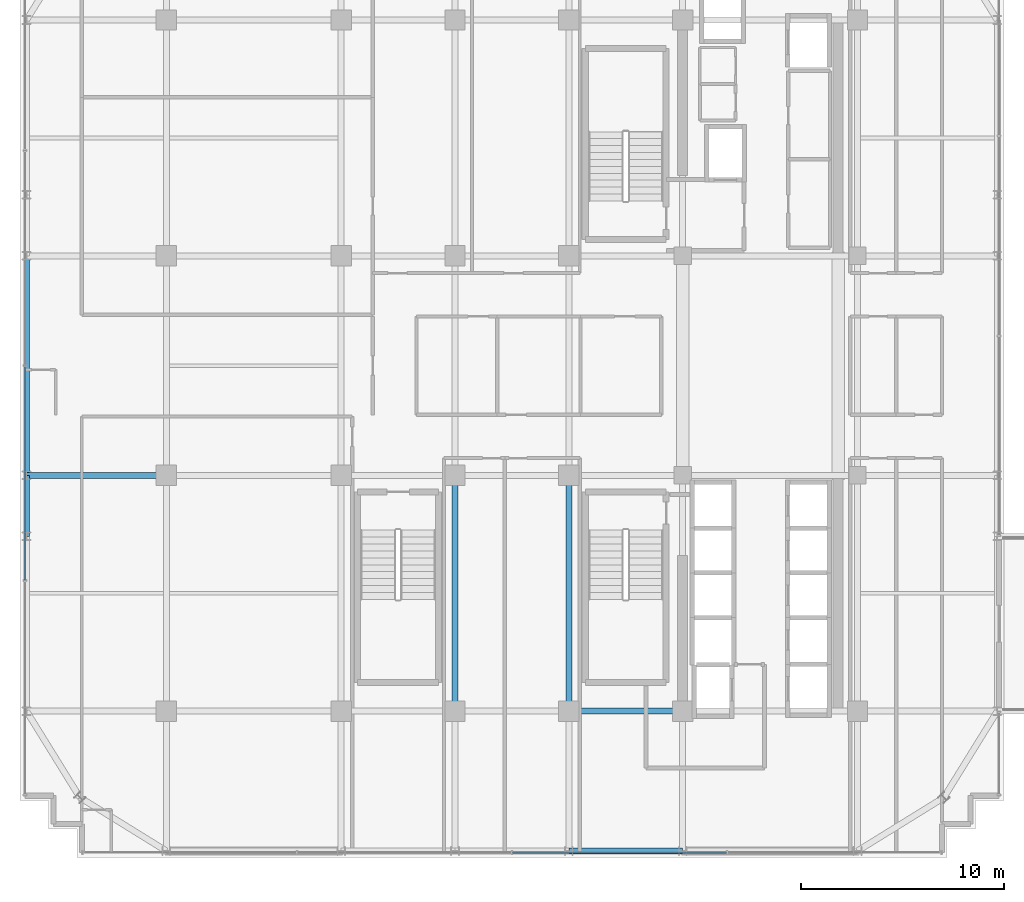
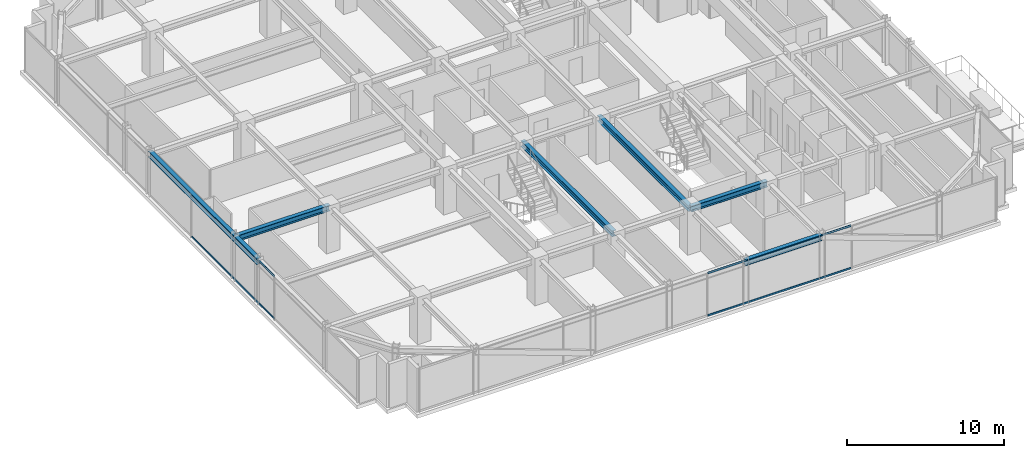
# One storey, part 9 of 36: 7 beams, 4 members, 2 elements without a shape of their own.
"""IFC4 building model written with IfcOpenShell, lengths in metres."""

from ifc_helpers import new_model, si_unit, direction, frame, origin, origin_2d, place, context, subcontext, project, spatial, hollow_rectangle, i_section, extrude, source, transform, mapped, material, material_profile, profile_set, type_object, element, aggregate, save


model = new_model("IFC4")

# Units and contexts
model_context = context("Model", 3, precision=1e-05, world=origin(), true_north=direction((0.0, 1.0)))
body_context = subcontext(model_context, "Body", "Model", "MODEL_VIEW")
ifc_project = project(units=[si_unit("LENGTHUNIT", "METRE"), si_unit("AREAUNIT", "SQUARE_METRE"), si_unit("VOLUMEUNIT", "CUBIC_METRE"), si_unit("PLANEANGLEUNIT", "RADIAN"), si_unit("MASSUNIT", "GRAM", prefix="KILO")], contexts=[model_context])

# Site, building, storey
site_placement = place(None, origin())
site = spatial("IfcSite", under=ifc_project, at=site_placement, CompositionType="ELEMENT")
building_placement = place(site_placement, origin())
building = spatial("IfcBuilding", under=site, at=building_placement, Name="Nahalor Promenade Grand Hotel", CompositionType="ELEMENT")
storey_placement = place(building_placement, frame((0.0, 0.0, 219.699951171875)))
storey = spatial("IfcBuildingStorey", under=building, at=storey_placement, Name="L56", CompositionType="ELEMENT", Elevation=219.699951171875)

# Beams
ifc_material_1 = material(Name="Steel S355JR", Category="steel")
ifc_material_profile_1 = material_profile(ifc_material_1, i_section(OverallWidth=0.3, OverallDepth=0.45, WebThickness=0.014, FlangeThickness=0.026, at=origin_2d()), Name="HEB 450")
ifc_profile_set_1 = profile_set([ifc_material_profile_1], Name="Steel S355JR")
beam_type_1 = type_object("IfcBeamType", Name="Beam-Spandrel-HEB450", PredefinedType="SPANDREL", material=ifc_profile_set_1)
shared_shape_1 = source(origin(), body_context, "Body", "SweptSolid", [
    extrude(i_section(OverallWidth=0.3, OverallDepth=0.45, WebThickness=0.014, FlangeThickness=0.026, at=origin_2d()), origin(), (0.0, 0.0, 1.0), 5.599853515625),
])
beam_1_placement = place(storey_placement, frame((2.800048828125, -23.8798828125, 3.18505859375), z_axis=(1.0, 0.0, 0.0), x_axis=(0.0, 1.0, 0.0)))
element("IfcBeam", 1, at=beam_1_placement, inside=storey, type_object=beam_type_1, Name="BM-L56-SP-S-3", PredefinedType="SPANDREL", context=body_context, shape_type="MappedRepresentation", body=[
    mapped(shared_shape_1, transform((0.0, 0.0, 0.0), scale=1.0)),
])
shared_shape_2 = source(origin(), body_context, "Body", "SweptSolid", [
    extrude(i_section(OverallWidth=0.3, OverallDepth=0.45, WebThickness=0.014, FlangeThickness=0.026, at=origin_2d()), origin(), (0.0, 0.0, 1.0), 3.0),
])
beam_2_placement = place(storey_placement, frame((-23.8798828125, -8.39990234375, 3.18505859375), z_axis=(0.0, 1.0, 0.0), x_axis=(-1.0, 0.0, 0.0)))
element("IfcBeam", 2, at=beam_2_placement, inside=storey, type_object=beam_type_1, Name="BM-L56-SP-W-1", PredefinedType="SPANDREL", context=body_context, shape_type="MappedRepresentation", body=[
    mapped(shared_shape_2, transform((0.0, 0.0, 0.0), scale=1.0)),
])
shared_shape_3 = source(origin(), body_context, "Body", "SweptSolid", [
    extrude(i_section(OverallWidth=0.3, OverallDepth=0.45, WebThickness=0.014, FlangeThickness=0.026, at=origin_2d()), origin(), (0.0, 0.0, 1.0), 10.7998046875),
])
beam_3_placement = place(storey_placement, frame((-23.8798828125, -5.39990234375, 3.18505859375), z_axis=(0.0, 1.0, 0.0), x_axis=(-1.0, 0.0, 0.0)))
element("IfcBeam", 3, at=beam_3_placement, inside=storey, type_object=beam_type_1, Name="BM-L56-SP-W-2", PredefinedType="SPANDREL", context=body_context, shape_type="MappedRepresentation", body=[
    mapped(shared_shape_3, transform((0.0, 0.0, 0.0), scale=1.0)),
])
ifc_material_profile_2 = material_profile(ifc_material_1, i_section(OverallWidth=0.3, OverallDepth=0.45, WebThickness=0.014, FlangeThickness=0.026, at=origin_2d()), Name="HEB 450")
ifc_profile_set_2 = profile_set([ifc_material_profile_2], Name="Steel S355JR")
beam_type_2 = type_object("IfcBeamType", Name="Beam-Girder-HEB450", PredefinedType="BEAM", material=ifc_profile_set_2)
shared_shape_4 = source(origin(), body_context, "Body", "SweptSolid", [
    extrude(i_section(OverallWidth=0.3, OverallDepth=0.45, WebThickness=0.014, FlangeThickness=0.026, at=origin_2d()), origin(), (0.0, 0.0, 1.0), 6.8798828125),
])
beam_4_placement = place(storey_placement, frame((-23.8798828125, -5.39990234375, 3.18505859375), z_axis=(1.0, 0.0, 0.0), x_axis=(0.0, 1.0, 0.0)))
element("IfcBeam", 4, at=beam_4_placement, inside=storey, type_object=beam_type_2, Name="BM-L56-GX-1-0", PredefinedType="BEAM", context=body_context, shape_type="MappedRepresentation", body=[
    mapped(shared_shape_4, transform((0.0, 0.0, 0.0), scale=1.0)),
])
shared_shape_5 = source(origin(), body_context, "Body", "SweptSolid", [
    extrude(i_section(OverallWidth=0.3, OverallDepth=0.45, WebThickness=0.014, FlangeThickness=0.026, at=origin_2d()), origin(), (0.0, 0.0, 1.0), 5.599853515625),
])
beam_5_placement = place(storey_placement, frame((2.800048828125, -17.0, 3.18505859375), z_axis=(1.0, 0.0, 0.0), x_axis=(0.0, 1.0, 0.0)))
element("IfcBeam", 5, at=beam_5_placement, inside=storey, type_object=beam_type_2, Name="BM-L56-GX-0-4", PredefinedType="BEAM", context=body_context, shape_type="MappedRepresentation", body=[
    mapped(shared_shape_5, transform((0.0, 0.0, 0.0), scale=1.0)),
])
shared_shape_6 = source(origin(), body_context, "Body", "SweptSolid", [
    extrude(i_section(OverallWidth=0.3, OverallDepth=0.45, WebThickness=0.014, FlangeThickness=0.026, at=origin_2d()), origin(), (0.0, 0.0, 1.0), 11.60009765625),
])
for number, where, z_axis, x_axis, name in (
    (6, (-2.800048828125, -17.0, 3.18505859375), (0.0, 1.0, 0.0), (-1.0, 0.0, 0.0), "BM-L56-GY-2-1"),
    (7, (2.800048828125, -17.0, 3.18505859375), (0.0, 1.0, 0.0), (-1.0, 0.0, 0.0), "BM-L56-GY-3-1"),
):
    element("IfcBeam", number, at=place(storey_placement, frame(where, z_axis=z_axis, x_axis=x_axis)), inside=storey, type_object=beam_type_2, Name=name, PredefinedType="BEAM", context=body_context, shape_type="MappedRepresentation", body=[
        mapped(shared_shape_6, transform((0.0, 0.0, 0.0), scale=1.0)),
    ])

# Curtain wall, members
ifc_material_2 = material(Name="Anodised Bronze Aluminium EN AW-6063 T6", Category="aluminium")
curtain_wall_type = type_object("IfcCurtainWallType", Name="CW2 Typical Hotel Flush Bronze Unitised Curtain Wall", PredefinedType="USERDEFINED", material=ifc_material_2)
curtain_wall_1_placement = place(storey_placement, origin())
curtain_wall_1 = element("IfcCurtainWall", 8, at=curtain_wall_1_placement, inside=storey, type_object=curtain_wall_type, Name="L56 Curtain Wall CW-L56-S-1", ObjectType="UNITISED_CURTAIN_WALL", PredefinedType="USERDEFINED")
ifc_material_profile_3 = material_profile(ifc_material_2, hollow_rectangle(XDim=0.065, YDim=0.13, WallThickness=0.004, at=origin_2d()), Name="CWT 65x130x4")
ifc_profile_set_3 = profile_set([ifc_material_profile_3], Name="Anodised Bronze Aluminium EN AW-6063 T6")
member_type = type_object("IfcMemberType", Name="CWT2 Typical Bronze Transom 65x130", PredefinedType="USERDEFINED", material=ifc_profile_set_3)
shared_shape_7 = source(origin(), body_context, "Body", "SweptSolid", [
    extrude(hollow_rectangle(XDim=0.065, YDim=0.13, WallThickness=0.004, at=origin_2d()), origin(), (0.0, 0.0, 1.0), 10.51513671875),
])
member_1_placement = place(storey_placement, frame((0.032470703125, -23.9599609375, 0.06494140625), z_axis=(1.0, 0.0, 0.0), x_axis=(0.0, 1.0, 0.0)))
member_1 = element("IfcMember", 9, at=member_1_placement, type_object=member_type, Name="CW-L56-S-1 Transom 2-0", ObjectType="TRANSOM", PredefinedType="USERDEFINED", context=body_context, shape_type="MappedRepresentation", body=[
    mapped(shared_shape_7, transform((0.0, 0.0, 0.0), scale=1.0)),
])
member_2_placement = place(storey_placement, frame((0.032470703125, -23.9599609375, 3.344970703125), z_axis=(1.0, 0.0, 0.0), x_axis=(0.0, 1.0, 0.0)))
member_2 = element("IfcMember", 10, at=member_2_placement, type_object=member_type, Name="CW-L56-S-1 Transom 2-1", ObjectType="TRANSOM", PredefinedType="USERDEFINED", context=body_context, shape_type="MappedRepresentation", body=[
    mapped(shared_shape_7, transform((0.0, 0.0, 0.0), scale=1.0)),
])
aggregate(curtain_wall_1, [member_1, member_2])

curtain_wall_2_placement = place(storey_placement, origin())
curtain_wall_2 = element("IfcCurtainWall", 11, at=curtain_wall_2_placement, inside=storey, type_object=curtain_wall_type, Name="L56 Curtain Wall CW-L56-W-1", ObjectType="UNITISED_CURTAIN_WALL", PredefinedType="USERDEFINED")
member_3_placement = place(storey_placement, frame((-23.9599609375, -10.547607421875, 0.06494140625), z_axis=(0.0, 1.0, 0.0), x_axis=(-1.0, 0.0, 0.0)))
member_3 = element("IfcMember", 12, at=member_3_placement, type_object=member_type, Name="CW-L56-W-1 Transom 1-0", ObjectType="TRANSOM", PredefinedType="USERDEFINED", context=body_context, shape_type="MappedRepresentation", body=[
    mapped(shared_shape_7, transform((0.0, 0.0, 0.0), scale=1.0)),
])
member_4_placement = place(storey_placement, frame((-23.9599609375, -10.547607421875, 3.344970703125), z_axis=(0.0, 1.0, 0.0), x_axis=(-1.0, 0.0, 0.0)))
member_4 = element("IfcMember", 13, at=member_4_placement, type_object=member_type, Name="CW-L56-W-1 Transom 1-1", ObjectType="TRANSOM", PredefinedType="USERDEFINED", context=body_context, shape_type="MappedRepresentation", body=[
    mapped(shared_shape_7, transform((0.0, 0.0, 0.0), scale=1.0)),
])
aggregate(curtain_wall_2, [member_3, member_4])

save(model, "model.ifc")
